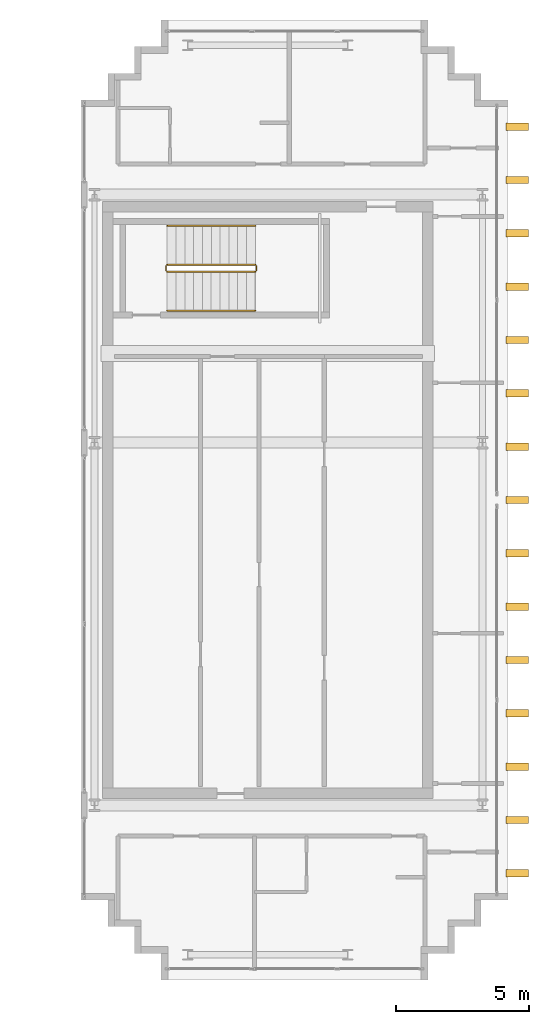
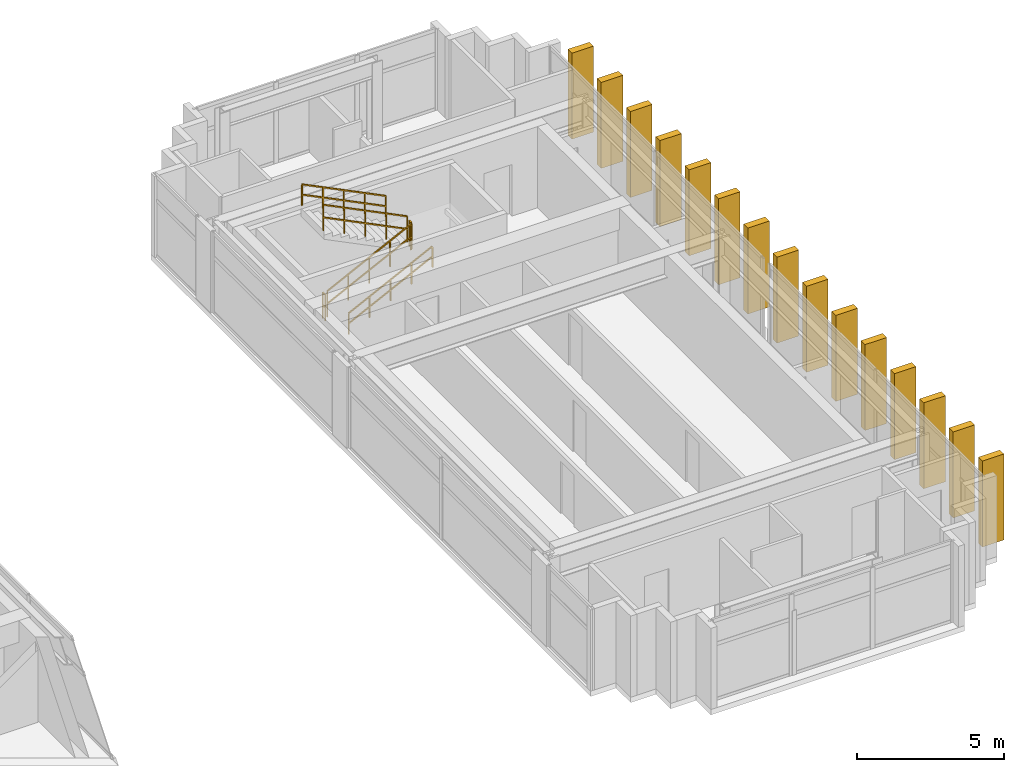
# One storey, part 25 of 25: 15 shading devices, 6 railings.
"""IFC4 building model written with IfcOpenShell, lengths in metres."""

from ifc_helpers import new_model, si_unit, direction, frame, origin, origin_2d, place, context, subcontext, project, spatial, rectangle, extrude, source, transform, mapped, material, type_object, element, save


model = new_model("IFC4")

# Units and contexts
model_context = context("Model", 3, precision=1e-05, world=origin(), true_north=direction((0.0, 1.0)))
body_context = subcontext(model_context, "Body", "Model", "MODEL_VIEW")
ifc_project = project(units=[si_unit("LENGTHUNIT", "METRE"), si_unit("AREAUNIT", "SQUARE_METRE"), si_unit("VOLUMEUNIT", "CUBIC_METRE"), si_unit("PLANEANGLEUNIT", "RADIAN"), si_unit("MASSUNIT", "GRAM", prefix="KILO")], contexts=[model_context])

# Site, building, storey
site_placement = place(None, origin())
site = spatial("IfcSite", under=ifc_project, at=site_placement, CompositionType="ELEMENT")
building_placement = place(site_placement, origin())
building = spatial("IfcBuilding", under=site, at=building_placement, Name="Ocotamira Hotel", CompositionType="ELEMENT")
storey_placement = place(building_placement, frame((0.0, 0.0, 258.0)))
storey = spatial("IfcBuildingStorey", under=building, at=storey_placement, Name="L65", CompositionType="ELEMENT", Elevation=258.0)

# Railings
ifc_material_1 = material(Name="Brushed stainless steel handrail", Category="steel")
railing_type_1 = type_object("IfcRailingType", Name="RL-HAND-900", PredefinedType="HANDRAIL", material=ifc_material_1)
railing_1_placement = place(storey_placement, frame((43.22998046875, 33.10009765625, 0.327392578125)))
element("IfcRailing", 1, at=railing_1_placement, inside=storey, type_object=railing_type_1, Name="L65 ST-4 stair handrail 1", PredefinedType="HANDRAIL", context=body_context, shape_type="SweptSolid", body=[
    extrude(rectangle(XDim=0.048095703125, YDim=0.048095703125, at=origin_2d()), frame((0.0, 0.0, 0.8759765625), z_axis=(0.895920123917, 0.0, 0.444215186098), x_axis=(0.0, 1.0, 0.0)), (0.0, 0.0, 1.0), 3.683349609375),
    extrude(rectangle(XDim=0.048095703125, YDim=0.048095703125, at=origin_2d()), frame((0.0, 0.0, 0.449951171875), z_axis=(0.895920123917, 0.0, 0.444215186098), x_axis=(0.0, 1.0, 0.0)), (0.0, 0.0, 1.0), 3.683349609375),
    extrude(rectangle(XDim=0.0419921875, YDim=0.0419921875, at=origin_2d()), origin(), (0.0, 0.0, 1.0), 0.851806640625),
    extrude(rectangle(XDim=0.0419921875, YDim=0.0419921875, at=origin_2d()), frame((0.824951171875, 0.0, 0.4091796875)), (0.0, 0.0, 1.0), 0.851806640625),
    extrude(rectangle(XDim=0.0419921875, YDim=0.0419921875, at=origin_2d()), frame((1.64990234375, 0.0, 0.818115234375)), (0.0, 0.0, 1.0), 0.851806640625),
    extrude(rectangle(XDim=0.0419921875, YDim=0.0419921875, at=origin_2d()), frame((2.47509765625, 0.0, 1.22705078125)), (0.0, 0.0, 1.0), 0.851806640625),
    extrude(rectangle(XDim=0.0419921875, YDim=0.0419921875, at=origin_2d()), frame((3.300048828125, 0.0, 1.63623046875)), (0.0, 0.0, 1.0), 0.851806640625),
])
railing_2_placement = place(storey_placement, frame((46.530029296875, 36.280029296875, 2.127197265625)))
element("IfcRailing", 2, at=railing_2_placement, inside=storey, type_object=railing_type_1, Name="L65 ST-4 stair handrail 2", PredefinedType="HANDRAIL", context=body_context, shape_type="SweptSolid", body=[
    extrude(rectangle(XDim=0.048095703125, YDim=0.048095703125, at=origin_2d()), frame((0.0, 0.0, 0.8759765625), z_axis=(-0.895893744519, 0.0, 0.4442683857), x_axis=(0.0, -1.0, 0.0)), (0.0, 0.0, 1.0), 3.68359375),
    extrude(rectangle(XDim=0.048095703125, YDim=0.048095703125, at=origin_2d()), frame((0.0, 0.0, 0.449951171875), z_axis=(-0.895893744519, 0.0, 0.4442683857), x_axis=(0.0, -1.0, 0.0)), (0.0, 0.0, 1.0), 3.68359375),
    extrude(rectangle(XDim=0.0419921875, YDim=0.0419921875, at=origin_2d()), origin(), (0.0, 0.0, 1.0), 0.851806640625),
    extrude(rectangle(XDim=0.0419921875, YDim=0.0419921875, at=origin_2d()), frame((-0.824951171875, 0.0, 0.4091796875)), (0.0, 0.0, 1.0), 0.851806640625),
    extrude(rectangle(XDim=0.0419921875, YDim=0.0419921875, at=origin_2d()), frame((-1.64990234375, 0.0, 0.818359375)), (0.0, 0.0, 1.0), 0.851806640625),
    extrude(rectangle(XDim=0.0419921875, YDim=0.0419921875, at=origin_2d()), frame((-2.47509765625, 0.0, 1.227294921875)), (0.0, 0.0, 1.0), 0.851806640625),
    extrude(rectangle(XDim=0.0419921875, YDim=0.0419921875, at=origin_2d()), frame((-3.300048828125, 0.0, 1.636474609375)), (0.0, 0.0, 1.0), 0.851806640625),
])
ifc_material_2 = material(Name="Painted steel stair guardrail", Category="steel")
railing_type_2 = type_object("IfcRailingType", Name="RL-STAIR-1100", PredefinedType="GUARDRAIL", material=ifc_material_2)
railing_3_placement = place(storey_placement, frame((43.22998046875, 34.56005859375, 0.16357421875)))
element("IfcRailing", 3, at=railing_3_placement, inside=storey, type_object=railing_type_2, Name="L65 ST-4 stair guard 1", PredefinedType="GUARDRAIL", context=body_context, shape_type="SweptSolid", body=[
    extrude(rectangle(XDim=0.048095703125, YDim=0.048095703125, at=origin_2d()), frame((0.0, 0.0, 1.076171875), z_axis=(0.895893744519, 0.0, 0.4442683857), x_axis=(0.0, 1.0, 0.0)), (0.0, 0.0, 1.0), 3.68359375),
    extrude(rectangle(XDim=0.048095703125, YDim=0.048095703125, at=origin_2d()), frame((0.0, 0.0, 0.550048828125), z_axis=(0.895893744519, 0.0, 0.4442683857), x_axis=(0.0, 1.0, 0.0)), (0.0, 0.0, 1.0), 3.68359375),
    extrude(rectangle(XDim=0.0419921875, YDim=0.0419921875, at=origin_2d()), origin(), (0.0, 0.0, 1.0), 1.052001953125),
    extrude(rectangle(XDim=0.0419921875, YDim=0.0419921875, at=origin_2d()), frame((0.824951171875, 0.0, 0.4091796875)), (0.0, 0.0, 1.0), 1.052001953125),
    extrude(rectangle(XDim=0.0419921875, YDim=0.0419921875, at=origin_2d()), frame((1.64990234375, 0.0, 0.818359375)), (0.0, 0.0, 1.0), 1.052001953125),
    extrude(rectangle(XDim=0.0419921875, YDim=0.0419921875, at=origin_2d()), frame((2.47509765625, 0.0, 1.227294921875)), (0.0, 0.0, 1.0), 1.052001953125),
    extrude(rectangle(XDim=0.0419921875, YDim=0.0419921875, at=origin_2d()), frame((3.300048828125, 0.0, 1.636474609375)), (0.0, 0.0, 1.0), 1.052001953125),
])
railing_4_placement = place(storey_placement, frame((46.580078125, 34.610107421875, 1.800048828125)))
element("IfcRailing", 4, at=railing_4_placement, inside=storey, type_object=railing_type_2, Name="L65 ST-4 stair guard 2", PredefinedType="GUARDRAIL", context=body_context, shape_type="SweptSolid", body=[
    extrude(rectangle(XDim=0.048095703125, YDim=0.048095703125, at=origin_2d()), frame((0.0, 0.0, 1.076171875), z_axis=(0.0, 1.0, 0.0), x_axis=(-1.0, 0.0, 0.0)), (0.0, 0.0, 1.0), 0.159912109375),
    extrude(rectangle(XDim=0.048095703125, YDim=0.048095703125, at=origin_2d()), frame((0.0, 0.0, 0.550048828125), z_axis=(0.0, 1.0, 0.0), x_axis=(-1.0, 0.0, 0.0)), (0.0, 0.0, 1.0), 0.159912109375),
    extrude(rectangle(XDim=0.0419921875, YDim=0.0419921875, at=origin_2d()), origin(), (0.0, 0.0, 1.0), 1.052001953125),
    extrude(rectangle(XDim=0.0419921875, YDim=0.0419921875, at=origin_2d()), frame((0.0, 0.159912109375, 0.0)), (0.0, 0.0, 1.0), 1.052001953125),
])
railing_5_placement = place(storey_placement, frame((46.530029296875, 34.820068359375, 1.963623046875)))
element("IfcRailing", 5, at=railing_5_placement, inside=storey, type_object=railing_type_2, Name="L65 ST-4 stair guard 3", PredefinedType="GUARDRAIL", context=body_context, shape_type="SweptSolid", body=[
    extrude(rectangle(XDim=0.048095703125, YDim=0.048095703125, at=origin_2d()), frame((0.0, 0.0, 1.076171875), z_axis=(-0.895893744519, 0.0, 0.4442683857), x_axis=(0.0, -1.0, 0.0)), (0.0, 0.0, 1.0), 3.68359375),
    extrude(rectangle(XDim=0.048095703125, YDim=0.048095703125, at=origin_2d()), frame((0.0, 0.0, 0.550048828125), z_axis=(-0.895893744519, 0.0, 0.4442683857), x_axis=(0.0, -1.0, 0.0)), (0.0, 0.0, 1.0), 3.68359375),
    extrude(rectangle(XDim=0.0419921875, YDim=0.0419921875, at=origin_2d()), origin(), (0.0, 0.0, 1.0), 1.052001953125),
    extrude(rectangle(XDim=0.0419921875, YDim=0.0419921875, at=origin_2d()), frame((-0.824951171875, 0.0, 0.4091796875)), (0.0, 0.0, 1.0), 1.052001953125),
    extrude(rectangle(XDim=0.0419921875, YDim=0.0419921875, at=origin_2d()), frame((-1.64990234375, 0.0, 0.818359375)), (0.0, 0.0, 1.0), 1.052001953125),
    extrude(rectangle(XDim=0.0419921875, YDim=0.0419921875, at=origin_2d()), frame((-2.47509765625, 0.0, 1.227294921875)), (0.0, 0.0, 1.0), 1.052001953125),
    extrude(rectangle(XDim=0.0419921875, YDim=0.0419921875, at=origin_2d()), frame((-3.300048828125, 0.0, 1.636474609375)), (0.0, 0.0, 1.0), 1.052001953125),
])
railing_6_placement = place(storey_placement, frame((43.179931640625, 34.610107421875, 0.0)))
element("IfcRailing", 6, at=railing_6_placement, inside=storey, type_object=railing_type_2, Name="L65 ST-4 stair guard 4", PredefinedType="GUARDRAIL", context=body_context, shape_type="SweptSolid", body=[
    extrude(rectangle(XDim=0.048095703125, YDim=0.048095703125, at=origin_2d()), frame((0.0, 0.0, 1.076171875), z_axis=(0.0, 1.0, 0.0), x_axis=(-1.0, 0.0, 0.0)), (0.0, 0.0, 1.0), 0.159912109375),
    extrude(rectangle(XDim=0.048095703125, YDim=0.048095703125, at=origin_2d()), frame((0.0, 0.0, 0.550048828125), z_axis=(0.0, 1.0, 0.0), x_axis=(-1.0, 0.0, 0.0)), (0.0, 0.0, 1.0), 0.159912109375),
    extrude(rectangle(XDim=0.0419921875, YDim=0.0419921875, at=origin_2d()), origin(), (0.0, 0.0, 1.0), 1.052001953125),
    extrude(rectangle(XDim=0.0419921875, YDim=0.0419921875, at=origin_2d()), frame((0.0, 0.159912109375, 0.0)), (0.0, 0.0, 1.0), 1.052001953125),
])

# Shading devices
ifc_material_3 = material(Name="Pale-metal anodised aluminium architectural fin", Category="aluminium")
shading_device_type = type_object("IfcShadingDeviceType", Name="SHD-PIER-850", PredefinedType="USERDEFINED", material=ifc_material_3)
shared_shape = source(origin(), body_context, "Body", "SweptSolid", [
    extrude(rectangle(XDim=0.85009765625, YDim=0.280029296875, at=origin_2d()), origin(), (0.0, 0.0, 1.0), 3.580078125),
])
for number, where, z_axis, x_axis, name in (
    (7, (56.35009765625, 12.0, -0.10009765625), (0.0, 0.0, 1.0), (1.0, 0.0, 0.0), "L65 Vertical Pale-Metal Pier E Y12"),
    (8, (56.35009765625, 14.0, -0.10009765625), (0.0, 0.0, 1.0), (1.0, 0.0, 0.0), "L65 Vertical Pale-Metal Pier E Y14"),
    (9, (56.35009765625, 16.0, -0.10009765625), (0.0, 0.0, 1.0), (1.0, 0.0, 0.0), "L65 Vertical Pale-Metal Pier E Y16"),
    (10, (56.35009765625, 18.0, -0.10009765625), (0.0, 0.0, 1.0), (1.0, 0.0, 0.0), "L65 Vertical Pale-Metal Pier E Y18"),
    (11, (56.35009765625, 20.0, -0.10009765625), (0.0, 0.0, 1.0), (1.0, 0.0, 0.0), "L65 Vertical Pale-Metal Pier E Y20"),
    (12, (56.35009765625, 22.0, -0.10009765625), (0.0, 0.0, 1.0), (1.0, 0.0, 0.0), "L65 Vertical Pale-Metal Pier E Y22"),
    (13, (56.35009765625, 24.0, -0.10009765625), (0.0, 0.0, 1.0), (1.0, 0.0, 0.0), "L65 Vertical Pale-Metal Pier E Y24"),
    (14, (56.35009765625, 26.0, -0.10009765625), (0.0, 0.0, 1.0), (1.0, 0.0, 0.0), "L65 Vertical Pale-Metal Pier E Y26"),
    (15, (56.35009765625, 28.0, -0.10009765625), (0.0, 0.0, 1.0), (1.0, 0.0, 0.0), "L65 Vertical Pale-Metal Pier E Y28"),
    (16, (56.35009765625, 30.0, -0.10009765625), (0.0, 0.0, 1.0), (1.0, 0.0, 0.0), "L65 Vertical Pale-Metal Pier E Y30"),
    (17, (56.35009765625, 32.0, -0.10009765625), (0.0, 0.0, 1.0), (1.0, 0.0, 0.0), "L65 Vertical Pale-Metal Pier E Y32"),
    (18, (56.35009765625, 34.0, -0.10009765625), (0.0, 0.0, 1.0), (1.0, 0.0, 0.0), "L65 Vertical Pale-Metal Pier E Y34"),
    (19, (56.35009765625, 36.0, -0.10009765625), (0.0, 0.0, 1.0), (1.0, 0.0, 0.0), "L65 Vertical Pale-Metal Pier E Y36"),
    (20, (56.35009765625, 38.0, -0.10009765625), (0.0, 0.0, 1.0), (1.0, 0.0, 0.0), "L65 Vertical Pale-Metal Pier E Y38"),
    (21, (56.35009765625, 40.0, -0.10009765625), (0.0, 0.0, 1.0), (1.0, 0.0, 0.0), "L65 Vertical Pale-Metal Pier E Y40"),
):
    element("IfcShadingDevice", number, at=place(storey_placement, frame(where, z_axis=z_axis, x_axis=x_axis)), inside=storey, type_object=shading_device_type, Name=name, ObjectType="FIN", PredefinedType="USERDEFINED", context=body_context, shape_type="MappedRepresentation", body=[
        mapped(shared_shape, transform((0.0, 0.0, 0.0), scale=1.0)),
    ])

save(model, "model.ifc")
